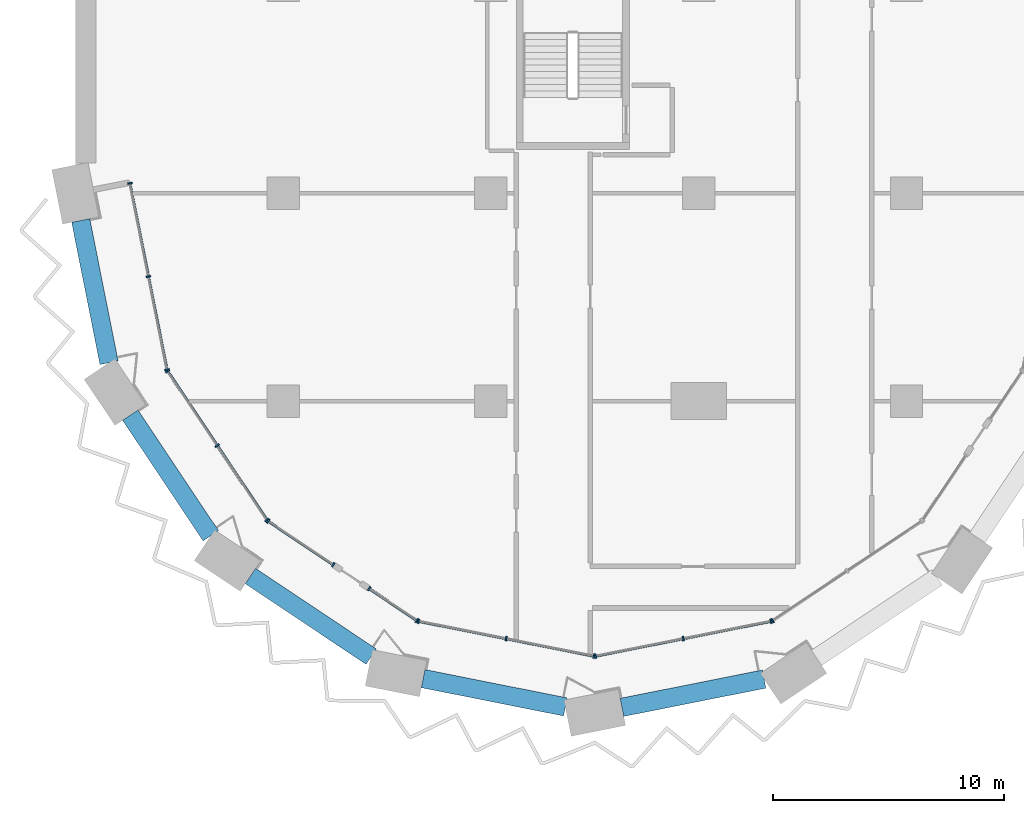
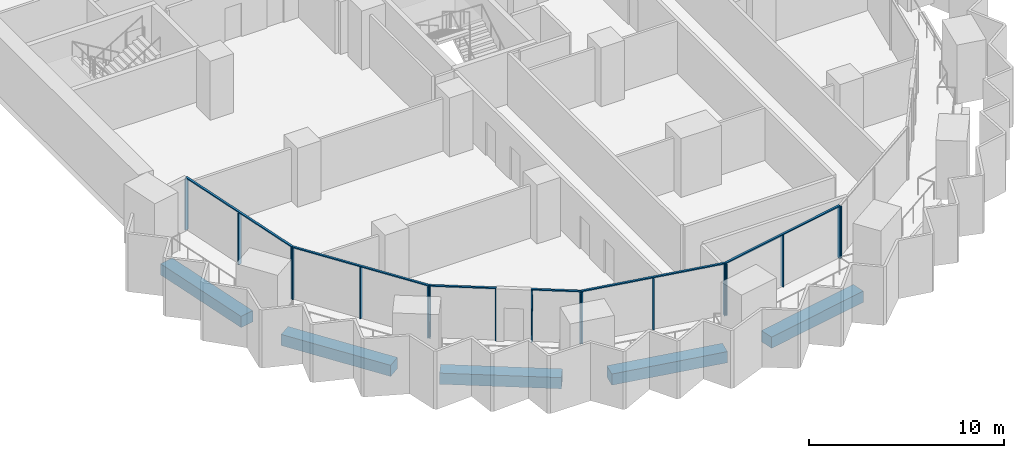
# One storey, part 2 of 29: 23 members, 5 beams, 7 elements without a shape of their own.
"""IFC4 building model written with IfcOpenShell, lengths in metres."""

from ifc_helpers import new_model, si_unit, direction, frame, origin, origin_2d, place, context, subcontext, project, spatial, rectangle, extrude, material, material_profile, profile_set, type_object, element, aggregate, save


model = new_model("IFC4")

# Units and contexts
model_context = context("Model", 3, precision=1e-05, world=origin(), true_north=direction((0.0, 1.0)))
body_context = subcontext(model_context, "Body", "Model", "MODEL_VIEW")
ifc_project = project(units=[si_unit("LENGTHUNIT", "METRE"), si_unit("AREAUNIT", "SQUARE_METRE"), si_unit("VOLUMEUNIT", "CUBIC_METRE"), si_unit("PLANEANGLEUNIT", "RADIAN"), si_unit("MASSUNIT", "GRAM", prefix="KILO")], contexts=[model_context])

# Site, building, storey
site_placement = place(None, origin())
site = spatial("IfcSite", under=ifc_project, at=site_placement, CompositionType="ELEMENT")
building_placement = place(site_placement, origin())
building = spatial("IfcBuilding", under=site, at=building_placement, Name="Hunhe Ridgeline Campus", CompositionType="ELEMENT")
storey_placement = place(building_placement, frame((0.0, 0.0, 54.300048828125)))
storey = spatial("IfcBuildingStorey", under=building, at=storey_placement, Name="L12", CompositionType="ELEMENT", Elevation=54.300048828125)

# Curtain wall, members
ifc_material_1 = material(Name="Aluminium 6063", Category="aluminium")
curtain_wall_type = type_object("IfcCurtainWallType", Name="Curtain wall CW-5", PredefinedType="NOTDEFINED", material=ifc_material_1)
curtain_wall_1_placement = place(storey_placement, origin())
curtain_wall_1 = element("IfcCurtainWall", 1, at=curtain_wall_1_placement, inside=storey, type_object=curtain_wall_type, Name="Curtain wall 01", PredefinedType="NOTDEFINED")
ifc_material_profile_1 = material_profile(ifc_material_1, rectangle(XDim=0.199951171875, YDim=0.070068359375, at=origin_2d()))
ifc_profile_set_1 = profile_set([ifc_material_profile_1], Name="Aluminium 6063")
member_type_1 = type_object("IfcMemberType", Name="CW-5 aluminium mullion", PredefinedType="MULLION", material=ifc_profile_set_1)
member_1_placement = place(storey_placement, frame((2.361572265625, 27.434326171875, 0.0), z_axis=(0.0, 0.0, 1.0), x_axis=(0.980784280831, 0.195095347137, 0.0)))
member_1 = element("IfcMember", 2, at=member_1_placement, type_object=member_type_1, Name="CW-5 mullion 1", PredefinedType="MULLION", context=body_context, shape_type="SweptSolid", body=[
    extrude(rectangle(XDim=0.199951171875, YDim=0.070068359375, at=origin_2d()), origin(), (0.0, 0.0, 1.0), 3.22998046875),
])
member_2_placement = place(storey_placement, frame((3.16455078125, 23.3974609375, 0.0), z_axis=(0.0, 0.0, 1.0), x_axis=(0.980784280831, 0.195095347137, 0.0)))
member_2 = element("IfcMember", 3, at=member_2_placement, type_object=member_type_1, Name="CW-5 mullion 2", PredefinedType="MULLION", context=body_context, shape_type="SweptSolid", body=[
    extrude(rectangle(XDim=0.199951171875, YDim=0.070068359375, at=origin_2d()), origin(), (0.0, 0.0, 1.0), 3.22998046875),
])
member_3_placement = place(storey_placement, frame((3.967529296875, 19.36083984375, 0.0), z_axis=(0.0, 0.0, 1.0), x_axis=(0.980784280831, 0.195095347137, 0.0)))
member_3 = element("IfcMember", 4, at=member_3_placement, type_object=member_type_1, Name="CW-5 mullion 3", PredefinedType="MULLION", context=body_context, shape_type="SweptSolid", body=[
    extrude(rectangle(XDim=0.199951171875, YDim=0.070068359375, at=origin_2d()), origin(), (0.0, 0.0, 1.0), 3.22998046875),
])

curtain_wall_2_placement = place(storey_placement, origin())
curtain_wall_2 = element("IfcCurtainWall", 5, at=curtain_wall_2_placement, inside=storey, type_object=curtain_wall_type, Name="Curtain wall 02", PredefinedType="NOTDEFINED")
member_4_placement = place(storey_placement, frame((3.993896484375, 19.29736328125, 0.0), z_axis=(0.0, 0.0, 1.0), x_axis=(0.831469584522, 0.555570274596, 0.0)))
member_4 = element("IfcMember", 6, at=member_4_placement, type_object=member_type_1, Name="CW-5 mullion 1", PredefinedType="MULLION", context=body_context, shape_type="SweptSolid", body=[
    extrude(rectangle(XDim=0.199951171875, YDim=0.070068359375, at=origin_2d()), origin(), (0.0, 0.0, 1.0), 3.22998046875),
])
member_5_placement = place(storey_placement, frame((6.147705078125, 16.07373046875, 0.0), z_axis=(0.0, 0.0, 1.0), x_axis=(0.831469584522, 0.555570274596, 0.0)))
member_5 = element("IfcMember", 7, at=member_5_placement, type_object=member_type_1, Name="CW-5 mullion 2", PredefinedType="MULLION", context=body_context, shape_type="SweptSolid", body=[
    extrude(rectangle(XDim=0.199951171875, YDim=0.070068359375, at=origin_2d()), origin(), (0.0, 0.0, 1.0), 3.22998046875),
])
member_6_placement = place(storey_placement, frame((8.3017578125, 12.850341796875, 0.0), z_axis=(0.0, 0.0, 1.0), x_axis=(0.831469584522, 0.555570274596, 0.0)))
member_6 = element("IfcMember", 8, at=member_6_placement, type_object=member_type_1, Name="CW-5 mullion 3", PredefinedType="MULLION", context=body_context, shape_type="SweptSolid", body=[
    extrude(rectangle(XDim=0.199951171875, YDim=0.070068359375, at=origin_2d()), origin(), (0.0, 0.0, 1.0), 3.22998046875),
])

curtain_wall_3_placement = place(storey_placement, origin())
curtain_wall_3 = element("IfcCurtainWall", 9, at=curtain_wall_3_placement, inside=storey, type_object=curtain_wall_type, Name="Curtain wall 03", PredefinedType="NOTDEFINED")
member_7_placement = place(storey_placement, frame((8.350341796875, 12.8017578125, 0.0), z_axis=(0.0, 0.0, 1.0), x_axis=(0.555570257501, 0.831469595944, 0.0)))
member_7 = element("IfcMember", 10, at=member_7_placement, type_object=member_type_1, Name="CW-5 mullion 1", PredefinedType="MULLION", context=body_context, shape_type="SweptSolid", body=[
    extrude(rectangle(XDim=0.199951171875, YDim=0.070068359375, at=origin_2d()), origin(), (0.0, 0.0, 1.0), 3.22998046875),
])
member_8_placement = place(storey_placement, frame((11.17041015625, 10.917236328125, 0.0), z_axis=(0.0, 0.0, 1.0), x_axis=(0.555570257501, 0.831469595944, 0.0)))
member_8 = element("IfcMember", 11, at=member_8_placement, type_object=member_type_1, Name="CW-5 mullion 2", PredefinedType="MULLION", context=body_context, shape_type="SweptSolid", body=[
    extrude(rectangle(XDim=0.199951171875, YDim=0.070068359375, at=origin_2d()), origin(), (0.0, 0.0, 1.0), 3.22998046875),
])

curtain_wall_4_placement = place(storey_placement, origin())
curtain_wall_4 = element("IfcCurtainWall", 12, at=curtain_wall_4_placement, inside=storey, type_object=curtain_wall_type, Name="Curtain wall 04", PredefinedType="NOTDEFINED")
member_9_placement = place(storey_placement, frame((12.725341796875, 9.87841796875, 0.0), z_axis=(0.0, 0.0, 1.0), x_axis=(0.555570385598, 0.831469510353, 0.0)))
member_9 = element("IfcMember", 13, at=member_9_placement, type_object=member_type_1, Name="CW-5 mullion 1", PredefinedType="MULLION", context=body_context, shape_type="SweptSolid", body=[
    extrude(rectangle(XDim=0.199951171875, YDim=0.070068359375, at=origin_2d()), origin(), (0.0, 0.0, 1.0), 3.22998046875),
])
member_10_placement = place(storey_placement, frame((14.79736328125, 8.493896484375, 0.0), z_axis=(0.0, 0.0, 1.0), x_axis=(0.555570385598, 0.831469510353, 0.0)))
member_10 = element("IfcMember", 14, at=member_10_placement, type_object=member_type_1, Name="CW-5 mullion 2", PredefinedType="MULLION", context=body_context, shape_type="SweptSolid", body=[
    extrude(rectangle(XDim=0.199951171875, YDim=0.070068359375, at=origin_2d()), origin(), (0.0, 0.0, 1.0), 3.22998046875),
])

curtain_wall_5_placement = place(storey_placement, origin())
curtain_wall_5 = element("IfcCurtainWall", 15, at=curtain_wall_5_placement, inside=storey, type_object=curtain_wall_type, Name="Curtain wall 05", PredefinedType="NOTDEFINED")
member_11_placement = place(storey_placement, frame((14.86083984375, 8.467529296875, 0.0), z_axis=(0.0, 0.0, 1.0), x_axis=(0.195090347539, 0.980785275326, 0.0)))
member_11 = element("IfcMember", 16, at=member_11_placement, type_object=member_type_1, Name="CW-5 mullion 1", PredefinedType="MULLION", context=body_context, shape_type="SweptSolid", body=[
    extrude(rectangle(XDim=0.199951171875, YDim=0.070068359375, at=origin_2d()), origin(), (0.0, 0.0, 1.0), 3.22998046875),
])
member_12_placement = place(storey_placement, frame((18.663330078125, 7.711181640625, 0.0), z_axis=(0.0, 0.0, 1.0), x_axis=(0.195090347539, 0.980785275326, 0.0)))
member_12 = element("IfcMember", 17, at=member_12_placement, type_object=member_type_1, Name="CW-5 mullion 2", PredefinedType="MULLION", context=body_context, shape_type="SweptSolid", body=[
    extrude(rectangle(XDim=0.199951171875, YDim=0.070068359375, at=origin_2d()), origin(), (0.0, 0.0, 1.0), 3.22998046875),
])
member_13_placement = place(storey_placement, frame((22.465576171875, 6.954833984375, 0.0), z_axis=(0.0, 0.0, 1.0), x_axis=(0.195090347539, 0.980785275326, 0.0)))
member_13 = element("IfcMember", 18, at=member_13_placement, type_object=member_type_1, Name="CW-5 mullion 3", PredefinedType="MULLION", context=body_context, shape_type="SweptSolid", body=[
    extrude(rectangle(XDim=0.199951171875, YDim=0.070068359375, at=origin_2d()), origin(), (0.0, 0.0, 1.0), 3.22998046875),
])

curtain_wall_6_placement = place(storey_placement, origin())
curtain_wall_6 = element("IfcCurtainWall", 19, at=curtain_wall_6_placement, inside=storey, type_object=curtain_wall_type, Name="Curtain wall 06", PredefinedType="NOTDEFINED")
member_14_placement = place(storey_placement, frame((22.534423828125, 6.954833984375, 0.0), z_axis=(0.0, 0.0, 1.0), x_axis=(-0.195090347539, 0.980785275326, 0.0)))
member_14 = element("IfcMember", 20, at=member_14_placement, type_object=member_type_1, Name="CW-5 mullion 1", PredefinedType="MULLION", context=body_context, shape_type="SweptSolid", body=[
    extrude(rectangle(XDim=0.199951171875, YDim=0.070068359375, at=origin_2d()), origin(), (0.0, 0.0, 1.0), 3.22998046875),
])
member_15_placement = place(storey_placement, frame((26.336669921875, 7.711181640625, 0.0), z_axis=(0.0, 0.0, 1.0), x_axis=(-0.195090347539, 0.980785275326, 0.0)))
member_15 = element("IfcMember", 21, at=member_15_placement, type_object=member_type_1, Name="CW-5 mullion 2", PredefinedType="MULLION", context=body_context, shape_type="SweptSolid", body=[
    extrude(rectangle(XDim=0.199951171875, YDim=0.070068359375, at=origin_2d()), origin(), (0.0, 0.0, 1.0), 3.22998046875),
])
member_16_placement = place(storey_placement, frame((30.13916015625, 8.467529296875, 0.0), z_axis=(0.0, 0.0, 1.0), x_axis=(-0.195090347539, 0.980785275326, 0.0)))
member_16 = element("IfcMember", 22, at=member_16_placement, type_object=member_type_1, Name="CW-5 mullion 3", PredefinedType="MULLION", context=body_context, shape_type="SweptSolid", body=[
    extrude(rectangle(XDim=0.199951171875, YDim=0.070068359375, at=origin_2d()), origin(), (0.0, 0.0, 1.0), 3.22998046875),
])

# Curtain wall, member
curtain_wall_7_placement = place(storey_placement, origin())
curtain_wall_7 = element("IfcCurtainWall", 23, at=curtain_wall_7_placement, inside=storey, type_object=curtain_wall_type, Name="Curtain wall 07", PredefinedType="NOTDEFINED")
member_17_placement = place(storey_placement, frame((30.20263671875, 8.493896484375, 0.0), z_axis=(0.0, 0.0, 1.0), x_axis=(-0.555570274596, 0.831469584522, 0.0)))
member_17 = element("IfcMember", 24, at=member_17_placement, type_object=member_type_1, Name="CW-5 mullion 1", PredefinedType="MULLION", context=body_context, shape_type="SweptSolid", body=[
    extrude(rectangle(XDim=0.199951171875, YDim=0.070068359375, at=origin_2d()), origin(), (0.0, 0.0, 1.0), 3.22998046875),
])
aggregate(curtain_wall_7, [member_17])

# Member
ifc_material_profile_2 = material_profile(ifc_material_1, rectangle(XDim=0.1201171875, YDim=0.070068359375, at=origin_2d()))
ifc_profile_set_2 = profile_set([ifc_material_profile_2], Name="Aluminium 6063")
member_type_2 = type_object("IfcMemberType", Name="CW-5 aluminium transom", PredefinedType="USERDEFINED", material=ifc_profile_set_2)
member_18_placement = place(storey_placement, frame((2.354736328125, 27.46875, 3.264892578125), z_axis=(0.195092405068, -0.980784866056, 0.0), x_axis=(0.980784866056, 0.195092405068, 0.0)))
member_18 = element("IfcMember", 25, at=member_18_placement, type_object=member_type_2, Name="CW-5 transom 1", ObjectType="TRANSOM", PredefinedType="USERDEFINED", context=body_context, shape_type="SweptSolid", body=[
    extrude(rectangle(XDim=0.1201171875, YDim=0.070068359375, at=origin_2d()), origin(), (0.0, 0.0, 1.0), 8.3017578125),
])

aggregate(curtain_wall_1, [member_18, member_1, member_2, member_3])

member_19_placement = place(storey_placement, frame((3.974365234375, 19.326416015625, 3.264892578125), z_axis=(0.5555640203, -0.831473763475, 0.0), x_axis=(0.831473763475, 0.5555640203, 0.0)))
member_19 = element("IfcMember", 26, at=member_19_placement, type_object=member_type_2, Name="CW-5 transom 1", ObjectType="TRANSOM", PredefinedType="USERDEFINED", context=body_context, shape_type="SweptSolid", body=[
    extrude(rectangle(XDim=0.1201171875, YDim=0.070068359375, at=origin_2d()), origin(), (0.0, 0.0, 1.0), 7.823974609375),
])

aggregate(curtain_wall_2, [member_19, member_4, member_5, member_6])

member_20_placement = place(storey_placement, frame((8.321044921875, 12.821044921875, 3.264892578125), z_axis=(0.831485714606, -0.555546133463, 0.0), x_axis=(0.555546133463, 0.831485714606, 0.0)))
member_20 = element("IfcMember", 27, at=member_20_placement, type_object=member_type_2, Name="CW-5 transom 1", ObjectType="TRANSOM", PredefinedType="USERDEFINED", context=body_context, shape_type="SweptSolid", body=[
    extrude(rectangle(XDim=0.1201171875, YDim=0.070068359375, at=origin_2d()), origin(), (0.0, 0.0, 1.0), 3.462158203125),
])

aggregate(curtain_wall_3, [member_20, member_7, member_8])

member_21_placement = place(storey_placement, frame((12.6962890625, 9.897705078125, 3.264892578125), z_axis=(0.831463388334, -0.555579547735, 0.0), x_axis=(0.555579547735, 0.831463388334, 0.0)))
member_21 = element("IfcMember", 28, at=member_21_placement, type_object=member_type_2, Name="CW-5 transom 1", ObjectType="TRANSOM", PredefinedType="USERDEFINED", context=body_context, shape_type="SweptSolid", body=[
    extrude(rectangle(XDim=0.1201171875, YDim=0.070068359375, at=origin_2d()), origin(), (0.0, 0.0, 1.0), 2.56201171875),
])

aggregate(curtain_wall_4, [member_21, member_9, member_10])

member_22_placement = place(storey_placement, frame((14.826416015625, 8.474365234375, 3.264892578125), z_axis=(0.980785367689, -0.195089883198, 0.0), x_axis=(0.195089883198, 0.980785367689, 0.0)))
member_22 = element("IfcMember", 29, at=member_22_placement, type_object=member_type_2, Name="CW-5 transom 1", ObjectType="TRANSOM", PredefinedType="USERDEFINED", context=body_context, shape_type="SweptSolid", body=[
    extrude(rectangle(XDim=0.1201171875, YDim=0.070068359375, at=origin_2d()), origin(), (0.0, 0.0, 1.0), 7.823974609375),
])

aggregate(curtain_wall_5, [member_22, member_11, member_12, member_13])

member_23_placement = place(storey_placement, frame((22.5, 6.947998046875, 3.264892578125), z_axis=(0.980785367689, 0.195089883198, 0.0), x_axis=(-0.195089883198, 0.980785367689, 0.0)))
member_23 = element("IfcMember", 30, at=member_23_placement, type_object=member_type_2, Name="CW-5 transom 1", ObjectType="TRANSOM", PredefinedType="USERDEFINED", context=body_context, shape_type="SweptSolid", body=[
    extrude(rectangle(XDim=0.1201171875, YDim=0.070068359375, at=origin_2d()), origin(), (0.0, 0.0, 1.0), 7.823974609375),
])

aggregate(curtain_wall_6, [member_23, member_14, member_15, member_16])

# Beams
ifc_material_2 = material(Name="Concrete C60", Category="concrete")
ifc_material_profile_3 = material_profile(ifc_material_2, rectangle(XDim=0.800048828125, YDim=0.699951171875, at=origin_2d()))
ifc_profile_set_3 = profile_set([ifc_material_profile_3], Name="Concrete C60")
beam_type = type_object("IfcBeamType", Name="RC spandrel beam 800x700 Concrete C60", PredefinedType="SPANDREL", material=ifc_profile_set_3)
for number, where, z_axis, x_axis, name in (
    (31, (0.234130859375, 25.822998046875, -0.60009765625), (0.195076855144, -0.980787959034, 0.0), (0.980787959034, 0.195076855144, 0.0), "Spandrel beam B1-1 L12"),
    (32, (2.37939453125, 17.391845703125, -0.60009765625), (0.555570106491, -0.831469696846, 0.0), (0.831469696846, 0.555570106491, 0.0), "Spandrel beam B1-2 L12"),
    (33, (7.587890625, 10.42333984375, -0.60009765625), (0.831469696846, -0.555570106491, 0.0), (0.555570106491, 0.831469696846, 0.0), "Spandrel beam B1-3 L12"),
    (34, (15.066650390625, 5.978515625, -0.60009765625), (0.980787959034, -0.195076855144, 0.0), (0.195076855144, 0.980787959034, 0.0), "Spandrel beam B1-4 L12"),
    (35, (23.677001953125, 4.734130859375, -0.60009765625), (0.980787959034, 0.195076855144, 0.0), (-0.195076855144, 0.980787959034, 0.0), "Spandrel beam B1-5 L12"),
):
    element("IfcBeam", number, at=place(storey_placement, frame(where, z_axis=z_axis, x_axis=x_axis)), inside=storey, type_object=beam_type, Name=name, PredefinedType="SPANDREL", context=body_context, shape_type="SweptSolid", body=[
        extrude(rectangle(XDim=0.800048828125, YDim=0.699951171875, at=origin_2d()), origin(), (0.0, 0.0, 1.0), 6.280029296875),
    ])

save(model, "model.ifc")
